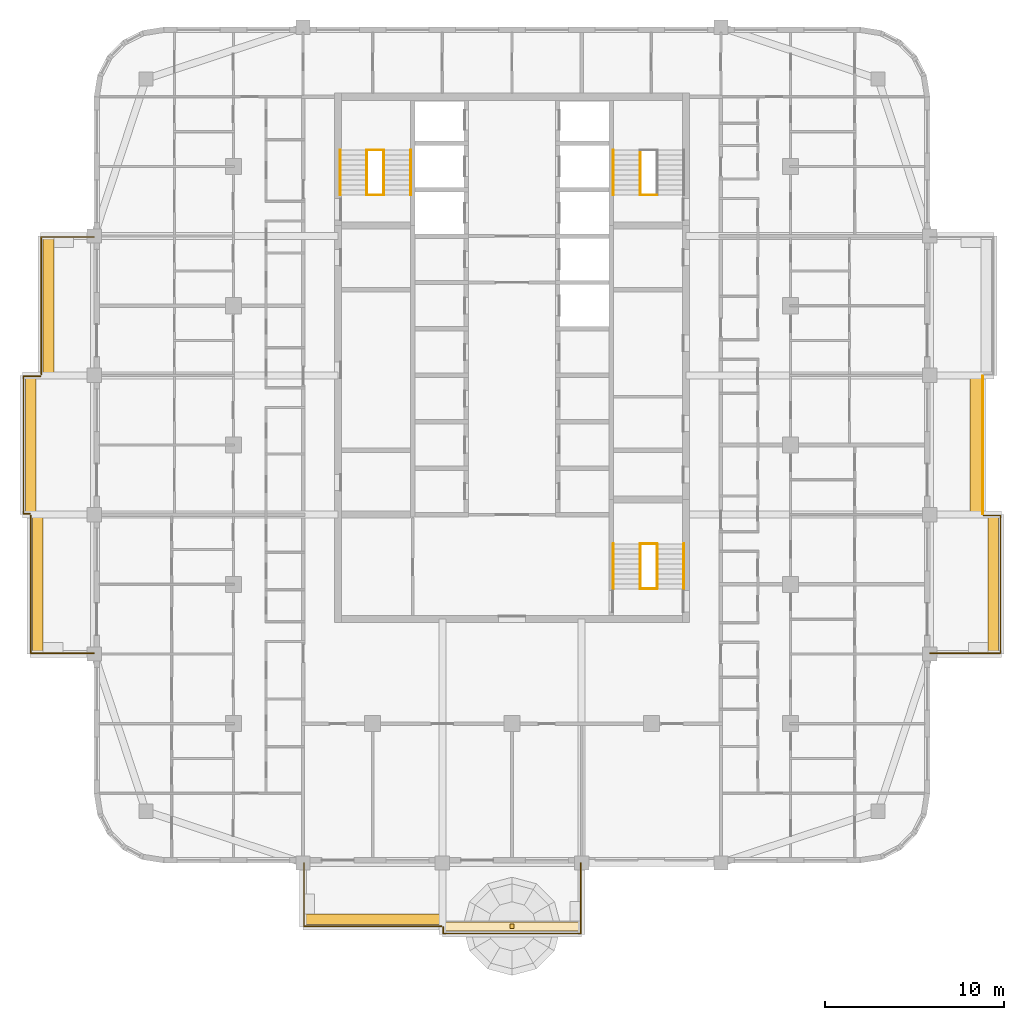
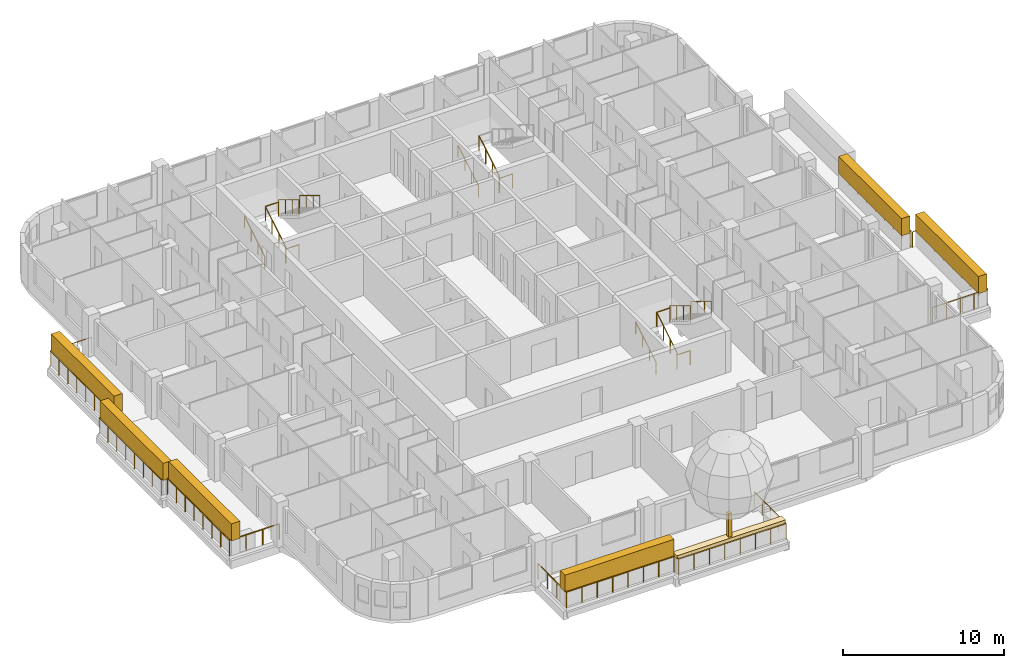
# One storey, part 15 of 17: 22 railings, 8 coverings, 3 elements without a shape of their own.
"""IFC4 building model written with IfcOpenShell, lengths in metres."""

from ifc_helpers import new_model, si_unit, direction, frame, origin, origin_2d, place, context, subcontext, project, spatial, rectangle, circle, extrude, material, layer, layer_set, type_object, element, aggregate, save


model = new_model("IFC4")

# Units and contexts
model_context = context("Model", 3, precision=1e-05, world=origin(), true_north=direction((0.0, 1.0)))
body_context = subcontext(model_context, "Body", "Model", "MODEL_VIEW")
ifc_project = project(units=[si_unit("LENGTHUNIT", "METRE"), si_unit("AREAUNIT", "SQUARE_METRE"), si_unit("VOLUMEUNIT", "CUBIC_METRE"), si_unit("PLANEANGLEUNIT", "RADIAN"), si_unit("MASSUNIT", "GRAM", prefix="KILO")], contexts=[model_context])

# Site, building, storey
site_placement = place(None, origin())
site = spatial("IfcSite", under=ifc_project, at=site_placement, CompositionType="ELEMENT")
building_placement = place(site_placement, origin())
building = spatial("IfcBuilding", under=site, at=building_placement, Name="Ludao Terraces", CompositionType="ELEMENT")
storey_placement = place(building_placement, frame((0.0, 0.0, 221.10009765625)))
storey = spatial("IfcBuildingStorey", under=building, at=storey_placement, Name="L60", CompositionType="ELEMENT", Elevation=221.10009765625)

# Railings
ifc_material_1 = material(Name="Stainless steel 304", Category="steel")
railing_type_1 = type_object("IfcRailingType", Name="ENV Balcony glass guard 1200", PredefinedType="GUARDRAIL", material=ifc_material_1)
railing_1_placement = place(storey_placement, frame((73.35009765625, 41.60009765625, 0.0)))
element("IfcRailing", 1, at=railing_1_placement, inside=storey, type_object=railing_type_1, Name="Balcony guard L60 S1", PredefinedType="GUARDRAIL", context=body_context, shape_type="SweptSolid", body=[
    extrude(circle(Radius=0.02392578125, at=origin_2d()), frame((0.0, 0.0, 1.17578125), z_axis=(0.0, -1.0, 0.0), x_axis=(1.0, 0.0, 0.0)), (0.0, 0.0, 1.0), 3.550048828125),
    extrude(circle(Radius=0.02392578125, at=origin_2d()), frame((0.0, -3.550048828125, 1.17578125), z_axis=(1.0, 0.0, 0.0), x_axis=(0.0, 1.0, 0.0)), (0.0, 0.0, 1.0), 7.699951171875),
    extrude(circle(Radius=0.02099609375, at=origin_2d()), origin(), (0.0, 0.0, 1.0), 1.15185546875),
    extrude(circle(Radius=0.02099609375, at=origin_2d()), frame((0.0, -1.183349609375, 0.0)), (0.0, 0.0, 1.0), 1.15185546875),
    extrude(circle(Radius=0.02099609375, at=origin_2d()), frame((0.0, -2.36669921875, 0.0)), (0.0, 0.0, 1.0), 1.15185546875),
    extrude(circle(Radius=0.02099609375, at=origin_2d()), frame((0.0, -3.550048828125, 0.0)), (0.0, 0.0, 1.0), 1.15185546875),
    extrude(circle(Radius=0.02099609375, at=origin_2d()), frame((1.10009765625, -3.550048828125, 0.0)), (0.0, 0.0, 1.0), 1.15185546875),
    extrude(circle(Radius=0.02099609375, at=origin_2d()), frame((2.199951171875, -3.550048828125, 0.0)), (0.0, 0.0, 1.0), 1.15185546875),
    extrude(circle(Radius=0.02099609375, at=origin_2d()), frame((3.300048828125, -3.550048828125, 0.0)), (0.0, 0.0, 1.0), 1.15185546875),
    extrude(circle(Radius=0.02099609375, at=origin_2d()), frame((4.39990234375, -3.550048828125, 0.0)), (0.0, 0.0, 1.0), 1.15185546875),
    extrude(circle(Radius=0.02099609375, at=origin_2d()), frame((5.5, -3.550048828125, 0.0)), (0.0, 0.0, 1.0), 1.15185546875),
    extrude(circle(Radius=0.02099609375, at=origin_2d()), frame((6.599853515625, -3.550048828125, 0.0)), (0.0, 0.0, 1.0), 1.15185546875),
    extrude(circle(Radius=0.02099609375, at=origin_2d()), frame((7.699951171875, -3.550048828125, 0.0)), (0.0, 0.0, 1.0), 1.15185546875),
])
railing_2_placement = place(storey_placement, frame((81.14990234375, 38.0, 0.0)))
element("IfcRailing", 2, at=railing_2_placement, inside=storey, type_object=railing_type_1, Name="Balcony guard L60 S2", PredefinedType="GUARDRAIL", context=body_context, shape_type="SweptSolid", body=[
    extrude(circle(Radius=0.02392578125, at=origin_2d()), frame((0.0, 0.0, 1.17578125), z_axis=(0.0, -1.0, 0.0), x_axis=(1.0, 0.0, 0.0)), (0.0, 0.0, 1.0), 0.35009765625),
    extrude(circle(Radius=0.02392578125, at=origin_2d()), frame((0.0, -0.35009765625, 1.17578125), z_axis=(1.0, 0.0, 0.0), x_axis=(0.0, 1.0, 0.0)), (0.0, 0.0, 1.0), 7.7001953125),
    extrude(circle(Radius=0.02392578125, at=origin_2d()), frame((7.7001953125, -0.35009765625, 1.17578125), z_axis=(0.0, 1.0, 0.0), x_axis=(-1.0, 0.0, 0.0)), (0.0, 0.0, 1.0), 3.9501953125),
    extrude(circle(Radius=0.02099609375, at=origin_2d()), origin(), (0.0, 0.0, 1.0), 1.15185546875),
    extrude(circle(Radius=0.02099609375, at=origin_2d()), frame((0.0, -0.35009765625, 0.0)), (0.0, 0.0, 1.0), 1.15185546875),
    extrude(circle(Radius=0.02099609375, at=origin_2d()), frame((1.10009765625, -0.35009765625, 0.0)), (0.0, 0.0, 1.0), 1.15185546875),
    extrude(circle(Radius=0.02099609375, at=origin_2d()), frame((2.199951171875, -0.35009765625, 0.0)), (0.0, 0.0, 1.0), 1.15185546875),
    extrude(circle(Radius=0.02099609375, at=origin_2d()), frame((3.300048828125, -0.35009765625, 0.0)), (0.0, 0.0, 1.0), 1.15185546875),
    extrude(circle(Radius=0.02099609375, at=origin_2d()), frame((4.400146484375, -0.35009765625, 0.0)), (0.0, 0.0, 1.0), 1.15185546875),
    extrude(circle(Radius=0.02099609375, at=origin_2d()), frame((5.500244140625, -0.35009765625, 0.0)), (0.0, 0.0, 1.0), 1.15185546875),
    extrude(circle(Radius=0.02099609375, at=origin_2d()), frame((6.60009765625, -0.35009765625, 0.0)), (0.0, 0.0, 1.0), 1.15185546875),
    extrude(circle(Radius=0.02099609375, at=origin_2d()), frame((7.7001953125, -0.35009765625, 0.0)), (0.0, 0.0, 1.0), 1.15185546875),
    extrude(circle(Radius=0.02099609375, at=origin_2d()), frame((7.7001953125, 0.637451171875, 0.0)), (0.0, 0.0, 1.0), 1.15185546875),
    extrude(circle(Radius=0.02099609375, at=origin_2d()), frame((7.7001953125, 1.625, 0.0)), (0.0, 0.0, 1.0), 1.15185546875),
    extrude(circle(Radius=0.02099609375, at=origin_2d()), frame((7.7001953125, 2.612548828125, 0.0)), (0.0, 0.0, 1.0), 1.15185546875),
    extrude(circle(Radius=0.02099609375, at=origin_2d()), frame((7.7001953125, 3.60009765625, 0.0)), (0.0, 0.0, 1.0), 1.15185546875),
])
railing_3_placement = place(storey_placement, frame((108.39990234375, 53.35009765625, 0.0)))
element("IfcRailing", 3, at=railing_3_placement, inside=storey, type_object=railing_type_1, Name="Balcony guard L60 E1", PredefinedType="GUARDRAIL", context=body_context, shape_type="SweptSolid", body=[
    extrude(circle(Radius=0.02392578125, at=origin_2d()), frame((0.0, 0.0, 1.17578125), z_axis=(1.0, 0.0, 0.0), x_axis=(0.0, 1.0, 0.0)), (0.0, 0.0, 1.0), 3.9501953125),
    extrude(circle(Radius=0.02392578125, at=origin_2d()), frame((3.9501953125, 0.0, 1.17578125), z_axis=(0.0, 1.0, 0.0), x_axis=(-1.0, 0.0, 0.0)), (0.0, 0.0, 1.0), 7.699951171875),
    extrude(circle(Radius=0.02392578125, at=origin_2d()), frame((3.9501953125, 7.699951171875, 1.17578125), z_axis=(-1.0, 0.0, 0.0), x_axis=(0.0, -1.0, 0.0)), (0.0, 0.0, 1.0), 0.9501953125),
    extrude(circle(Radius=0.02099609375, at=origin_2d()), origin(), (0.0, 0.0, 1.0), 1.15185546875),
    extrude(circle(Radius=0.02099609375, at=origin_2d()), frame((0.987548828125, 0.0, 0.0)), (0.0, 0.0, 1.0), 1.15185546875),
    extrude(circle(Radius=0.02099609375, at=origin_2d()), frame((1.97509765625, 0.0, 0.0)), (0.0, 0.0, 1.0), 1.15185546875),
    extrude(circle(Radius=0.02099609375, at=origin_2d()), frame((2.962646484375, 0.0, 0.0)), (0.0, 0.0, 1.0), 1.15185546875),
    extrude(circle(Radius=0.02099609375, at=origin_2d()), frame((3.9501953125, 0.0, 0.0)), (0.0, 0.0, 1.0), 1.15185546875),
    extrude(circle(Radius=0.02099609375, at=origin_2d()), frame((3.9501953125, 1.10009765625, 0.0)), (0.0, 0.0, 1.0), 1.15185546875),
    extrude(circle(Radius=0.02099609375, at=origin_2d()), frame((3.9501953125, 2.199951171875, 0.0)), (0.0, 0.0, 1.0), 1.15185546875),
    extrude(circle(Radius=0.02099609375, at=origin_2d()), frame((3.9501953125, 3.300048828125, 0.0)), (0.0, 0.0, 1.0), 1.15185546875),
    extrude(circle(Radius=0.02099609375, at=origin_2d()), frame((3.9501953125, 4.39990234375, 0.0)), (0.0, 0.0, 1.0), 1.15185546875),
    extrude(circle(Radius=0.02099609375, at=origin_2d()), frame((3.9501953125, 5.5, 0.0)), (0.0, 0.0, 1.0), 1.15185546875),
    extrude(circle(Radius=0.02099609375, at=origin_2d()), frame((3.9501953125, 6.599853515625, 0.0)), (0.0, 0.0, 1.0), 1.15185546875),
    extrude(circle(Radius=0.02099609375, at=origin_2d()), frame((3.9501953125, 7.699951171875, 0.0)), (0.0, 0.0, 1.0), 1.15185546875),
    extrude(circle(Radius=0.02099609375, at=origin_2d()), frame((3.0, 7.699951171875, 0.0)), (0.0, 0.0, 1.0), 1.15185546875),
])
railing_4_placement = place(storey_placement, frame((111.35009765625, 61.14990234375, 0.0)))
element("IfcRailing", 4, at=railing_4_placement, inside=storey, type_object=railing_type_1, Name="Balcony guard L60 E2", PredefinedType="GUARDRAIL", context=body_context, shape_type="SweptSolid", body=[
    extrude(circle(Radius=0.02392578125, at=origin_2d()), frame((0.0, 0.0, 1.17578125), z_axis=(0.0, 1.0, 0.0), x_axis=(-1.0, 0.0, 0.0)), (0.0, 0.0, 1.0), 7.7001953125),
    extrude(circle(Radius=0.02099609375, at=origin_2d()), origin(), (0.0, 0.0, 1.0), 1.15185546875),
    extrude(circle(Radius=0.02099609375, at=origin_2d()), frame((0.0, 1.10009765625, 0.0)), (0.0, 0.0, 1.0), 1.15185546875),
    extrude(circle(Radius=0.02099609375, at=origin_2d()), frame((0.0, 2.199951171875, 0.0)), (0.0, 0.0, 1.0), 1.15185546875),
    extrude(circle(Radius=0.02099609375, at=origin_2d()), frame((0.0, 3.300048828125, 0.0)), (0.0, 0.0, 1.0), 1.15185546875),
    extrude(circle(Radius=0.02099609375, at=origin_2d()), frame((0.0, 4.400146484375, 0.0)), (0.0, 0.0, 1.0), 1.15185546875),
    extrude(circle(Radius=0.02099609375, at=origin_2d()), frame((0.0, 5.500244140625, 0.0)), (0.0, 0.0, 1.0), 1.15185546875),
    extrude(circle(Radius=0.02099609375, at=origin_2d()), frame((0.0, 6.60009765625, 0.0)), (0.0, 0.0, 1.0), 1.15185546875),
    extrude(circle(Radius=0.02099609375, at=origin_2d()), frame((0.0, 7.7001953125, 0.0)), (0.0, 0.0, 1.0), 1.15185546875),
])
railing_5_placement = place(storey_placement, frame((61.60009765625, 53.35009765625, 0.0)))
element("IfcRailing", 5, at=railing_5_placement, inside=storey, type_object=railing_type_1, Name="Balcony guard L60 W1", PredefinedType="GUARDRAIL", context=body_context, shape_type="SweptSolid", body=[
    extrude(circle(Radius=0.02392578125, at=origin_2d()), frame((0.0, 0.0, 1.17578125), z_axis=(-1.0, 0.0, 0.0), x_axis=(0.0, -1.0, 0.0)), (0.0, 0.0, 1.0), 3.550048828125),
    extrude(circle(Radius=0.02392578125, at=origin_2d()), frame((-3.550048828125, 0.0, 1.17578125), z_axis=(0.0, 1.0, 0.0), x_axis=(-1.0, 0.0, 0.0)), (0.0, 0.0, 1.0), 7.699951171875),
    extrude(circle(Radius=0.02099609375, at=origin_2d()), origin(), (0.0, 0.0, 1.0), 1.15185546875),
    extrude(circle(Radius=0.02099609375, at=origin_2d()), frame((-1.183349609375, 0.0, 0.0)), (0.0, 0.0, 1.0), 1.15185546875),
    extrude(circle(Radius=0.02099609375, at=origin_2d()), frame((-2.36669921875, 0.0, 0.0)), (0.0, 0.0, 1.0), 1.15185546875),
    extrude(circle(Radius=0.02099609375, at=origin_2d()), frame((-3.550048828125, 0.0, 0.0)), (0.0, 0.0, 1.0), 1.15185546875),
    extrude(circle(Radius=0.02099609375, at=origin_2d()), frame((-3.550048828125, 1.10009765625, 0.0)), (0.0, 0.0, 1.0), 1.15185546875),
    extrude(circle(Radius=0.02099609375, at=origin_2d()), frame((-3.550048828125, 2.199951171875, 0.0)), (0.0, 0.0, 1.0), 1.15185546875),
    extrude(circle(Radius=0.02099609375, at=origin_2d()), frame((-3.550048828125, 3.300048828125, 0.0)), (0.0, 0.0, 1.0), 1.15185546875),
    extrude(circle(Radius=0.02099609375, at=origin_2d()), frame((-3.550048828125, 4.39990234375, 0.0)), (0.0, 0.0, 1.0), 1.15185546875),
    extrude(circle(Radius=0.02099609375, at=origin_2d()), frame((-3.550048828125, 5.5, 0.0)), (0.0, 0.0, 1.0), 1.15185546875),
    extrude(circle(Radius=0.02099609375, at=origin_2d()), frame((-3.550048828125, 6.599853515625, 0.0)), (0.0, 0.0, 1.0), 1.15185546875),
    extrude(circle(Radius=0.02099609375, at=origin_2d()), frame((-3.550048828125, 7.699951171875, 0.0)), (0.0, 0.0, 1.0), 1.15185546875),
])
railing_6_placement = place(storey_placement, frame((58.0, 61.14990234375, 0.0)))
element("IfcRailing", 6, at=railing_6_placement, inside=storey, type_object=railing_type_1, Name="Balcony guard L60 W2", PredefinedType="GUARDRAIL", context=body_context, shape_type="SweptSolid", body=[
    extrude(circle(Radius=0.02392578125, at=origin_2d()), frame((0.0, 0.0, 1.17578125), z_axis=(-1.0, 0.0, 0.0), x_axis=(0.0, -1.0, 0.0)), (0.0, 0.0, 1.0), 0.35009765625),
    extrude(circle(Radius=0.02392578125, at=origin_2d()), frame((-0.35009765625, 0.0, 1.17578125), z_axis=(0.0, 1.0, 0.0), x_axis=(-1.0, 0.0, 0.0)), (0.0, 0.0, 1.0), 7.7001953125),
    extrude(circle(Radius=0.02392578125, at=origin_2d()), frame((-0.35009765625, 7.7001953125, 1.17578125), z_axis=(1.0, 0.0, 0.0), x_axis=(0.0, 1.0, 0.0)), (0.0, 0.0, 1.0), 0.9501953125),
    extrude(circle(Radius=0.02099609375, at=origin_2d()), origin(), (0.0, 0.0, 1.0), 1.15185546875),
    extrude(circle(Radius=0.02099609375, at=origin_2d()), frame((-0.35009765625, 0.0, 0.0)), (0.0, 0.0, 1.0), 1.15185546875),
    extrude(circle(Radius=0.02099609375, at=origin_2d()), frame((-0.35009765625, 1.10009765625, 0.0)), (0.0, 0.0, 1.0), 1.15185546875),
    extrude(circle(Radius=0.02099609375, at=origin_2d()), frame((-0.35009765625, 2.199951171875, 0.0)), (0.0, 0.0, 1.0), 1.15185546875),
    extrude(circle(Radius=0.02099609375, at=origin_2d()), frame((-0.35009765625, 3.300048828125, 0.0)), (0.0, 0.0, 1.0), 1.15185546875),
    extrude(circle(Radius=0.02099609375, at=origin_2d()), frame((-0.35009765625, 4.400146484375, 0.0)), (0.0, 0.0, 1.0), 1.15185546875),
    extrude(circle(Radius=0.02099609375, at=origin_2d()), frame((-0.35009765625, 5.500244140625, 0.0)), (0.0, 0.0, 1.0), 1.15185546875),
    extrude(circle(Radius=0.02099609375, at=origin_2d()), frame((-0.35009765625, 6.60009765625, 0.0)), (0.0, 0.0, 1.0), 1.15185546875),
    extrude(circle(Radius=0.02099609375, at=origin_2d()), frame((-0.35009765625, 7.7001953125, 0.0)), (0.0, 0.0, 1.0), 1.15185546875),
    extrude(circle(Radius=0.02099609375, at=origin_2d()), frame((0.60009765625, 7.7001953125, 0.0)), (0.0, 0.0, 1.0), 1.15185546875),
])
railing_7_placement = place(storey_placement, frame((58.64990234375, 68.949951171875, 0.0)))
element("IfcRailing", 7, at=railing_7_placement, inside=storey, type_object=railing_type_1, Name="Balcony guard L60 W3", PredefinedType="GUARDRAIL", context=body_context, shape_type="SweptSolid", body=[
    extrude(circle(Radius=0.02392578125, at=origin_2d()), frame((0.0, 0.0, 1.17578125), z_axis=(0.0, 1.0, 0.0), x_axis=(-1.0, 0.0, 0.0)), (0.0, 0.0, 1.0), 7.699951171875),
    extrude(circle(Radius=0.02392578125, at=origin_2d()), frame((0.0, 7.699951171875, 1.17578125), z_axis=(1.0, 0.0, 0.0), x_axis=(0.0, 1.0, 0.0)), (0.0, 0.0, 1.0), 2.9501953125),
    extrude(circle(Radius=0.02099609375, at=origin_2d()), origin(), (0.0, 0.0, 1.0), 1.15185546875),
    extrude(circle(Radius=0.02099609375, at=origin_2d()), frame((0.0, 1.10009765625, 0.0)), (0.0, 0.0, 1.0), 1.15185546875),
    extrude(circle(Radius=0.02099609375, at=origin_2d()), frame((0.0, 2.199951171875, 0.0)), (0.0, 0.0, 1.0), 1.15185546875),
    extrude(circle(Radius=0.02099609375, at=origin_2d()), frame((0.0, 3.300048828125, 0.0)), (0.0, 0.0, 1.0), 1.15185546875),
    extrude(circle(Radius=0.02099609375, at=origin_2d()), frame((0.0, 4.39990234375, 0.0)), (0.0, 0.0, 1.0), 1.15185546875),
    extrude(circle(Radius=0.02099609375, at=origin_2d()), frame((0.0, 5.5, 0.0)), (0.0, 0.0, 1.0), 1.15185546875),
    extrude(circle(Radius=0.02099609375, at=origin_2d()), frame((0.0, 6.599853515625, 0.0)), (0.0, 0.0, 1.0), 1.15185546875),
    extrude(circle(Radius=0.02099609375, at=origin_2d()), frame((0.0, 7.699951171875, 0.0)), (0.0, 0.0, 1.0), 1.15185546875),
    extrude(circle(Radius=0.02099609375, at=origin_2d()), frame((0.9833984375, 7.699951171875, 0.0)), (0.0, 0.0, 1.0), 1.15185546875),
    extrude(circle(Radius=0.02099609375, at=origin_2d()), frame((1.966796875, 7.699951171875, 0.0)), (0.0, 0.0, 1.0), 1.15185546875),
    extrude(circle(Radius=0.02099609375, at=origin_2d()), frame((2.9501953125, 7.699951171875, 0.0)), (0.0, 0.0, 1.0), 1.15185546875),
])

# Coverings
ifc_material_2 = material(Name="Planting")
ifc_layer_1 = layer(ifc_material_2, 0.5)
ifc_layer_set_1 = layer_set([ifc_layer_1], Name="ENV Planting bed 250")
covering_type_1 = type_object("IfcCoveringType", Name="ENV Planting bed 250", PredefinedType="USERDEFINED", material=ifc_layer_set_1)
covering_1_placement = place(storey_placement, frame((85.0, 38.050048828125, 1.099853515625), z_axis=(0.0, 0.0, 1.0), x_axis=(1.0, 0.0, 0.0)))
element("IfcCovering", 8, at=covering_1_placement, inside=storey, type_object=covering_type_1, Name="Planting bed L60-S2", ObjectType="PLANTING", PredefinedType="USERDEFINED", context=body_context, shape_type="SweptSolid", body=[
    extrude(rectangle(XDim=7.800048828125, YDim=0.5, at=origin_2d()), origin(), (0.0, 0.0, 1.0), 0.25),
])
ifc_layer_2 = layer(ifc_material_2, 0.60009765625)
ifc_layer_set_2 = layer_set([ifc_layer_2], Name="ENV Planting hedge 600x1300")
covering_type_2 = type_object("IfcCoveringType", Name="ENV Planting hedge 600x1300", PredefinedType="USERDEFINED", material=ifc_layer_set_2)
covering_2_placement = place(storey_placement, frame((77.199951171875, 38.449951171875, 1.10009765625), z_axis=(0.0, 0.0, 1.0), x_axis=(1.0, 0.0, 0.0)))
element("IfcCovering", 9, at=covering_2_placement, inside=storey, type_object=covering_type_2, Name="Planting hedge L60-S1", ObjectType="PLANTING", PredefinedType="USERDEFINED", context=body_context, shape_type="SweptSolid", body=[
    extrude(rectangle(XDim=7.800048828125, YDim=0.60009765625, at=origin_2d()), origin(), (0.0, 0.0, 1.0), 1.300048828125),
])
for number, where, z_axis, x_axis, name in (
    (10, (111.949951171875, 57.199951171875, 1.10009765625), (0.0, 0.0, 1.0), (1.0, 0.0, 0.0), "Planting hedge L60-E1"),
    (11, (110.949951171875, 65.0, 1.10009765625), (0.0, 0.0, 1.0), (1.0, 0.0, 0.0), "Planting hedge L60-E2"),
    (12, (58.449951171875, 57.199951171875, 1.10009765625), (0.0, 0.0, 1.0), (1.0, 0.0, 0.0), "Planting hedge L60-W1"),
    (13, (58.050048828125, 65.0, 1.10009765625), (0.0, 0.0, 1.0), (1.0, 0.0, 0.0), "Planting hedge L60-W2"),
    (14, (59.050048828125, 72.800048828125, 1.10009765625), (0.0, 0.0, 1.0), (1.0, 0.0, 0.0), "Planting hedge L60-W3"),
):
    element("IfcCovering", number, at=place(storey_placement, frame(where, z_axis=z_axis, x_axis=x_axis)), inside=storey, type_object=covering_type_2, Name=name, ObjectType="PLANTING", PredefinedType="USERDEFINED", context=body_context, shape_type="SweptSolid", body=[
        extrude(rectangle(XDim=0.60009765625, YDim=7.800048828125, at=origin_2d()), origin(), (0.0, 0.0, 1.0), 1.300048828125),
    ])
ifc_material_3 = material(Name="Timber tree trunk", Category="wood")
ifc_layer_3 = layer(ifc_material_3, 0.25)
ifc_layer_set_3 = layer_set([ifc_layer_3], Name="ENV Tree trunk 250x1800")
covering_type_3 = type_object("IfcCoveringType", Name="ENV Tree trunk 250x1800", PredefinedType="USERDEFINED", material=ifc_layer_set_3)
covering_3_placement = place(storey_placement, frame((85.0, 38.050048828125, 1.35009765625), z_axis=(0.0, 0.0, 1.0), x_axis=(1.0, 0.0, 0.0)))
element("IfcCovering", 15, at=covering_3_placement, inside=storey, type_object=covering_type_3, Name="Tree trunk L60 S2", ObjectType="PLANTING", PredefinedType="USERDEFINED", context=body_context, shape_type="SweptSolid", body=[
    extrude(rectangle(XDim=0.25, YDim=0.25, at=origin_2d()), origin(), (0.0, 0.0, 1.0), 1.800048828125),
])

# Stair, railings
ifc_material_4 = material(Name="Concrete C40", Category="concrete")
stair_type = type_object("IfcStairType", Name="INT Stair", PredefinedType="HALF_TURN_STAIR", material=ifc_material_4)
stair_1_placement = place(storey_placement, origin())
stair_1 = element("IfcStair", 16, at=stair_1_placement, inside=storey, type_object=stair_type, Name="EXIT STAIR 1", PredefinedType="HALF_TURN_STAIR")
railing_type_2 = type_object("IfcRailingType", Name="INT Stair guard 1100", PredefinedType="GUARDRAIL", material=ifc_material_1)
railing_8_placement = place(storey_placement, frame((76.875, 79.0, 0.169921875)))
railing_8 = element("IfcRailing", 17, at=railing_8_placement, type_object=railing_type_2, Name="ST-L60-S1-R1G", PredefinedType="GUARDRAIL", context=body_context, shape_type="SweptSolid", body=[
    extrude(circle(Radius=0.02392578125, at=origin_2d()), frame((0.0, 0.0, 1.076171875), z_axis=(0.0, 0.85478489116, 0.518982456201), x_axis=(-1.0, 0.0, 0.0)), (0.0, 0.0, 1.0), 2.9482421875),
    extrude(circle(Radius=0.02099609375, at=origin_2d()), origin(), (0.0, 0.0, 1.0), 1.052001953125),
    extrude(circle(Radius=0.02099609375, at=origin_2d()), frame((0.0, 0.840087890625, 0.510009765625)), (0.0, 0.0, 1.0), 1.052001953125),
    extrude(circle(Radius=0.02099609375, at=origin_2d()), frame((0.0, 1.679931640625, 1.02001953125)), (0.0, 0.0, 1.0), 1.052001953125),
    extrude(circle(Radius=0.02099609375, at=origin_2d()), frame((0.0, 2.52001953125, 1.530029296875)), (0.0, 0.0, 1.0), 1.052001953125),
])
railing_9_placement = place(storey_placement, frame((77.824951171875, 81.52001953125, 1.869873046875)))
railing_9 = element("IfcRailing", 18, at=railing_9_placement, type_object=railing_type_2, Name="ST-L60-S1-R2G", PredefinedType="GUARDRAIL", context=body_context, shape_type="SweptSolid", body=[
    extrude(circle(Radius=0.02392578125, at=origin_2d()), frame((0.0, 0.0, 1.076171875), z_axis=(0.0, -0.85478489116, 0.518982456201), x_axis=(1.0, 0.0, 0.0)), (0.0, 0.0, 1.0), 2.9482421875),
    extrude(circle(Radius=0.02099609375, at=origin_2d()), origin(), (0.0, 0.0, 1.0), 1.052001953125),
    extrude(circle(Radius=0.02099609375, at=origin_2d()), frame((0.0, -0.840087890625, 0.510009765625)), (0.0, 0.0, 1.0), 1.052001953125),
    extrude(circle(Radius=0.02099609375, at=origin_2d()), frame((0.0, -1.679931640625, 1.02001953125)), (0.0, 0.0, 1.0), 1.052001953125),
    extrude(circle(Radius=0.02099609375, at=origin_2d()), frame((0.0, -2.52001953125, 1.530029296875)), (0.0, 0.0, 1.0), 1.052001953125),
])
railing_10_placement = place(storey_placement, frame((76.875, 81.52001953125, 1.699951171875)))
railing_10 = element("IfcRailing", 19, at=railing_10_placement, type_object=railing_type_2, Name="ST-L60-S1-E1G", PredefinedType="GUARDRAIL", context=body_context, shape_type="SweptSolid", body=[
    extrude(circle(Radius=0.02392578125, at=origin_2d()), frame((0.0, 0.0, 1.076171875), z_axis=(1.0, 0.0, 0.0), x_axis=(0.0, 1.0, 0.0)), (0.0, 0.0, 1.0), 0.949951171875),
    extrude(circle(Radius=0.02099609375, at=origin_2d()), origin(), (0.0, 0.0, 1.0), 1.052001953125),
    extrude(circle(Radius=0.02099609375, at=origin_2d()), frame((0.949951171875, 0.0, 0.0)), (0.0, 0.0, 1.0), 1.052001953125),
])
railing_11_placement = place(storey_placement, frame((76.875, 79.0, 0.0)))
railing_11 = element("IfcRailing", 20, at=railing_11_placement, type_object=railing_type_2, Name="ST-L60-S1-E2G", PredefinedType="GUARDRAIL", context=body_context, shape_type="SweptSolid", body=[
    extrude(circle(Radius=0.02392578125, at=origin_2d()), frame((0.0, 0.0, 1.076171875), z_axis=(1.0, 0.0, 0.0), x_axis=(0.0, 1.0, 0.0)), (0.0, 0.0, 1.0), 0.949951171875),
    extrude(circle(Radius=0.02099609375, at=origin_2d()), origin(), (0.0, 0.0, 1.0), 1.052001953125),
    extrude(circle(Radius=0.02099609375, at=origin_2d()), frame((0.949951171875, 0.0, 0.0)), (0.0, 0.0, 1.0), 1.052001953125),
])

stair_2_placement = place(storey_placement, origin())
stair_2 = element("IfcStair", 21, at=stair_2_placement, inside=storey, type_object=stair_type, Name="EXIT STAIR 2", PredefinedType="HALF_TURN_STAIR")
railing_12_placement = place(storey_placement, frame((92.175048828125, 79.0, 0.169921875)))
railing_12 = element("IfcRailing", 22, at=railing_12_placement, type_object=railing_type_2, Name="ST-L60-S2-R1G", PredefinedType="GUARDRAIL", context=body_context, shape_type="SweptSolid", body=[
    extrude(circle(Radius=0.02392578125, at=origin_2d()), frame((0.0, 0.0, 1.076171875), z_axis=(0.0, 0.85478489116, 0.518982456201), x_axis=(-1.0, 0.0, 0.0)), (0.0, 0.0, 1.0), 2.9482421875),
    extrude(circle(Radius=0.02099609375, at=origin_2d()), origin(), (0.0, 0.0, 1.0), 1.052001953125),
    extrude(circle(Radius=0.02099609375, at=origin_2d()), frame((0.0, 0.840087890625, 0.510009765625)), (0.0, 0.0, 1.0), 1.052001953125),
    extrude(circle(Radius=0.02099609375, at=origin_2d()), frame((0.0, 1.679931640625, 1.02001953125)), (0.0, 0.0, 1.0), 1.052001953125),
    extrude(circle(Radius=0.02099609375, at=origin_2d()), frame((0.0, 2.52001953125, 1.530029296875)), (0.0, 0.0, 1.0), 1.052001953125),
])
railing_13_placement = place(storey_placement, frame((92.175048828125, 79.0, 0.0)))
railing_13 = element("IfcRailing", 23, at=railing_13_placement, type_object=railing_type_2, Name="ST-L60-S2-E2G", PredefinedType="GUARDRAIL", context=body_context, shape_type="SweptSolid", body=[
    extrude(circle(Radius=0.02392578125, at=origin_2d()), frame((0.0, 0.0, 1.076171875), z_axis=(1.0, 0.0, 0.0), x_axis=(0.0, 1.0, 0.0)), (0.0, 0.0, 1.0), 0.949951171875),
    extrude(circle(Radius=0.02099609375, at=origin_2d()), origin(), (0.0, 0.0, 1.0), 1.052001953125),
    extrude(circle(Radius=0.02099609375, at=origin_2d()), frame((0.949951171875, 0.0, 0.0)), (0.0, 0.0, 1.0), 1.052001953125),
])

stair_3_placement = place(storey_placement, origin())
stair_3 = element("IfcStair", 24, at=stair_3_placement, inside=storey, type_object=stair_type, Name="EXIT STAIR 3", PredefinedType="HALF_TURN_STAIR")
railing_14_placement = place(storey_placement, frame((92.175048828125, 56.949951171875, 0.169921875)))
railing_14 = element("IfcRailing", 25, at=railing_14_placement, type_object=railing_type_2, Name="ST-L60-S3-R1G", PredefinedType="GUARDRAIL", context=body_context, shape_type="SweptSolid", body=[
    extrude(circle(Radius=0.02392578125, at=origin_2d()), frame((0.0, 0.0, 1.076171875), z_axis=(0.0, 0.85478489116, 0.518982456201), x_axis=(-1.0, 0.0, 0.0)), (0.0, 0.0, 1.0), 2.9482421875),
    extrude(circle(Radius=0.02099609375, at=origin_2d()), origin(), (0.0, 0.0, 1.0), 1.052001953125),
    extrude(circle(Radius=0.02099609375, at=origin_2d()), frame((0.0, 0.840087890625, 0.510009765625)), (0.0, 0.0, 1.0), 1.052001953125),
    extrude(circle(Radius=0.02099609375, at=origin_2d()), frame((0.0, 1.679931640625, 1.02001953125)), (0.0, 0.0, 1.0), 1.052001953125),
    extrude(circle(Radius=0.02099609375, at=origin_2d()), frame((0.0, 2.52001953125, 1.530029296875)), (0.0, 0.0, 1.0), 1.052001953125),
])
railing_15_placement = place(storey_placement, frame((93.125, 59.469970703125, 1.869873046875)))
railing_15 = element("IfcRailing", 26, at=railing_15_placement, type_object=railing_type_2, Name="ST-L60-S3-R2G", PredefinedType="GUARDRAIL", context=body_context, shape_type="SweptSolid", body=[
    extrude(circle(Radius=0.02392578125, at=origin_2d()), frame((0.0, 0.0, 1.076171875), z_axis=(0.0, -0.85478489116, 0.518982456201), x_axis=(1.0, 0.0, 0.0)), (0.0, 0.0, 1.0), 2.9482421875),
    extrude(circle(Radius=0.02099609375, at=origin_2d()), origin(), (0.0, 0.0, 1.0), 1.052001953125),
    extrude(circle(Radius=0.02099609375, at=origin_2d()), frame((0.0, -0.840087890625, 0.510009765625)), (0.0, 0.0, 1.0), 1.052001953125),
    extrude(circle(Radius=0.02099609375, at=origin_2d()), frame((0.0, -1.679931640625, 1.02001953125)), (0.0, 0.0, 1.0), 1.052001953125),
    extrude(circle(Radius=0.02099609375, at=origin_2d()), frame((0.0, -2.52001953125, 1.530029296875)), (0.0, 0.0, 1.0), 1.052001953125),
])
railing_16_placement = place(storey_placement, frame((92.175048828125, 59.469970703125, 1.699951171875)))
railing_16 = element("IfcRailing", 27, at=railing_16_placement, type_object=railing_type_2, Name="ST-L60-S3-E1G", PredefinedType="GUARDRAIL", context=body_context, shape_type="SweptSolid", body=[
    extrude(circle(Radius=0.02392578125, at=origin_2d()), frame((0.0, 0.0, 1.076171875), z_axis=(1.0, 0.0, 0.0), x_axis=(0.0, 1.0, 0.0)), (0.0, 0.0, 1.0), 0.949951171875),
    extrude(circle(Radius=0.02099609375, at=origin_2d()), origin(), (0.0, 0.0, 1.0), 1.052001953125),
    extrude(circle(Radius=0.02099609375, at=origin_2d()), frame((0.949951171875, 0.0, 0.0)), (0.0, 0.0, 1.0), 1.052001953125),
])
railing_17_placement = place(storey_placement, frame((92.175048828125, 56.949951171875, 0.0)))
railing_17 = element("IfcRailing", 28, at=railing_17_placement, type_object=railing_type_2, Name="ST-L60-S3-E2G", PredefinedType="GUARDRAIL", context=body_context, shape_type="SweptSolid", body=[
    extrude(circle(Radius=0.02392578125, at=origin_2d()), frame((0.0, 0.0, 1.076171875), z_axis=(1.0, 0.0, 0.0), x_axis=(0.0, 1.0, 0.0)), (0.0, 0.0, 1.0), 0.949951171875),
    extrude(circle(Radius=0.02099609375, at=origin_2d()), origin(), (0.0, 0.0, 1.0), 1.052001953125),
    extrude(circle(Radius=0.02099609375, at=origin_2d()), frame((0.949951171875, 0.0, 0.0)), (0.0, 0.0, 1.0), 1.052001953125),
])

# Railing
railing_type_3 = type_object("IfcRailingType", Name="INT Stair handrail 900", PredefinedType="HANDRAIL", material=ifc_material_1)
railing_18_placement = place(storey_placement, frame((75.375, 79.0, 0.169921875)))
railing_18 = element("IfcRailing", 29, at=railing_18_placement, type_object=railing_type_3, Name="ST-L60-S1-R1H", PredefinedType="HANDRAIL", context=body_context, shape_type="SweptSolid", body=[
    extrude(circle(Radius=0.02392578125, at=origin_2d()), frame((0.0, 0.0, 0.8759765625), z_axis=(0.0, 0.85478489116, 0.518982456201), x_axis=(-1.0, 0.0, 0.0)), (0.0, 0.0, 1.0), 2.9482421875),
    extrude(circle(Radius=0.02099609375, at=origin_2d()), origin(), (0.0, 0.0, 1.0), 0.851806640625),
    extrude(circle(Radius=0.02099609375, at=origin_2d()), frame((0.0, 0.840087890625, 0.510009765625)), (0.0, 0.0, 1.0), 0.851806640625),
    extrude(circle(Radius=0.02099609375, at=origin_2d()), frame((0.0, 1.679931640625, 1.02001953125)), (0.0, 0.0, 1.0), 0.851806640625),
    extrude(circle(Radius=0.02099609375, at=origin_2d()), frame((0.0, 2.52001953125, 1.530029296875)), (0.0, 0.0, 1.0), 0.851806640625),
])

railing_19_placement = place(storey_placement, frame((79.324951171875, 81.52001953125, 1.869873046875)))
railing_19 = element("IfcRailing", 30, at=railing_19_placement, type_object=railing_type_3, Name="ST-L60-S1-R2H", PredefinedType="HANDRAIL", context=body_context, shape_type="SweptSolid", body=[
    extrude(circle(Radius=0.02392578125, at=origin_2d()), frame((0.0, 0.0, 0.8759765625), z_axis=(0.0, -0.85478489116, 0.518982456201), x_axis=(1.0, 0.0, 0.0)), (0.0, 0.0, 1.0), 2.9482421875),
    extrude(circle(Radius=0.02099609375, at=origin_2d()), origin(), (0.0, 0.0, 1.0), 0.851806640625),
    extrude(circle(Radius=0.02099609375, at=origin_2d()), frame((0.0, -0.840087890625, 0.510009765625)), (0.0, 0.0, 1.0), 0.851806640625),
    extrude(circle(Radius=0.02099609375, at=origin_2d()), frame((0.0, -1.679931640625, 1.02001953125)), (0.0, 0.0, 1.0), 0.851806640625),
    extrude(circle(Radius=0.02099609375, at=origin_2d()), frame((0.0, -2.52001953125, 1.530029296875)), (0.0, 0.0, 1.0), 0.851806640625),
])

aggregate(stair_1, [railing_8, railing_18, railing_9, railing_19, railing_10, railing_11])

railing_20_placement = place(storey_placement, frame((90.675048828125, 79.0, 0.169921875)))
railing_20 = element("IfcRailing", 31, at=railing_20_placement, type_object=railing_type_3, Name="ST-L60-S2-R1H", PredefinedType="HANDRAIL", context=body_context, shape_type="SweptSolid", body=[
    extrude(circle(Radius=0.02392578125, at=origin_2d()), frame((0.0, 0.0, 0.8759765625), z_axis=(0.0, 0.85478489116, 0.518982456201), x_axis=(-1.0, 0.0, 0.0)), (0.0, 0.0, 1.0), 2.9482421875),
    extrude(circle(Radius=0.02099609375, at=origin_2d()), origin(), (0.0, 0.0, 1.0), 0.851806640625),
    extrude(circle(Radius=0.02099609375, at=origin_2d()), frame((0.0, 0.840087890625, 0.510009765625)), (0.0, 0.0, 1.0), 0.851806640625),
    extrude(circle(Radius=0.02099609375, at=origin_2d()), frame((0.0, 1.679931640625, 1.02001953125)), (0.0, 0.0, 1.0), 0.851806640625),
    extrude(circle(Radius=0.02099609375, at=origin_2d()), frame((0.0, 2.52001953125, 1.530029296875)), (0.0, 0.0, 1.0), 0.851806640625),
])

aggregate(stair_2, [railing_12, railing_20, railing_13])

railing_21_placement = place(storey_placement, frame((90.675048828125, 56.949951171875, 0.169921875)))
railing_21 = element("IfcRailing", 32, at=railing_21_placement, type_object=railing_type_3, Name="ST-L60-S3-R1H", PredefinedType="HANDRAIL", context=body_context, shape_type="SweptSolid", body=[
    extrude(circle(Radius=0.02392578125, at=origin_2d()), frame((0.0, 0.0, 0.8759765625), z_axis=(0.0, 0.85478489116, 0.518982456201), x_axis=(-1.0, 0.0, 0.0)), (0.0, 0.0, 1.0), 2.9482421875),
    extrude(circle(Radius=0.02099609375, at=origin_2d()), origin(), (0.0, 0.0, 1.0), 0.851806640625),
    extrude(circle(Radius=0.02099609375, at=origin_2d()), frame((0.0, 0.840087890625, 0.510009765625)), (0.0, 0.0, 1.0), 0.851806640625),
    extrude(circle(Radius=0.02099609375, at=origin_2d()), frame((0.0, 1.679931640625, 1.02001953125)), (0.0, 0.0, 1.0), 0.851806640625),
    extrude(circle(Radius=0.02099609375, at=origin_2d()), frame((0.0, 2.52001953125, 1.530029296875)), (0.0, 0.0, 1.0), 0.851806640625),
])

railing_22_placement = place(storey_placement, frame((94.625, 59.469970703125, 1.869873046875)))
railing_22 = element("IfcRailing", 33, at=railing_22_placement, type_object=railing_type_3, Name="ST-L60-S3-R2H", PredefinedType="HANDRAIL", context=body_context, shape_type="SweptSolid", body=[
    extrude(circle(Radius=0.02392578125, at=origin_2d()), frame((0.0, 0.0, 0.8759765625), z_axis=(0.0, -0.85478489116, 0.518982456201), x_axis=(1.0, 0.0, 0.0)), (0.0, 0.0, 1.0), 2.9482421875),
    extrude(circle(Radius=0.02099609375, at=origin_2d()), origin(), (0.0, 0.0, 1.0), 0.851806640625),
    extrude(circle(Radius=0.02099609375, at=origin_2d()), frame((0.0, -0.840087890625, 0.510009765625)), (0.0, 0.0, 1.0), 0.851806640625),
    extrude(circle(Radius=0.02099609375, at=origin_2d()), frame((0.0, -1.679931640625, 1.02001953125)), (0.0, 0.0, 1.0), 0.851806640625),
    extrude(circle(Radius=0.02099609375, at=origin_2d()), frame((0.0, -2.52001953125, 1.530029296875)), (0.0, 0.0, 1.0), 0.851806640625),
])

aggregate(stair_3, [railing_14, railing_21, railing_15, railing_22, railing_16, railing_17])

save(model, "model.ifc")
